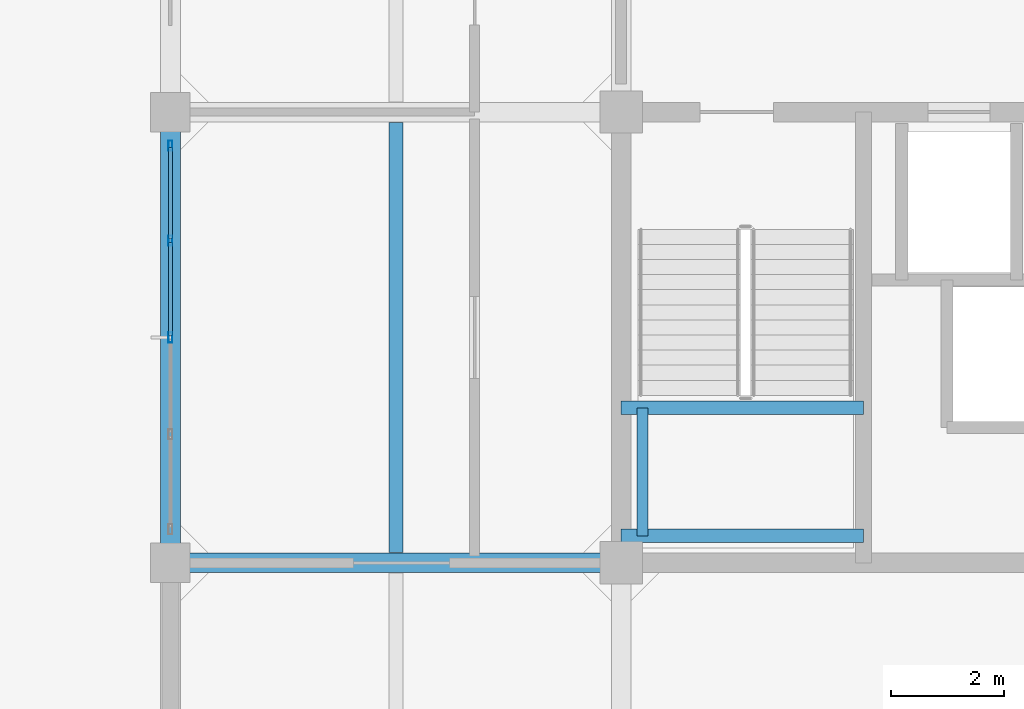
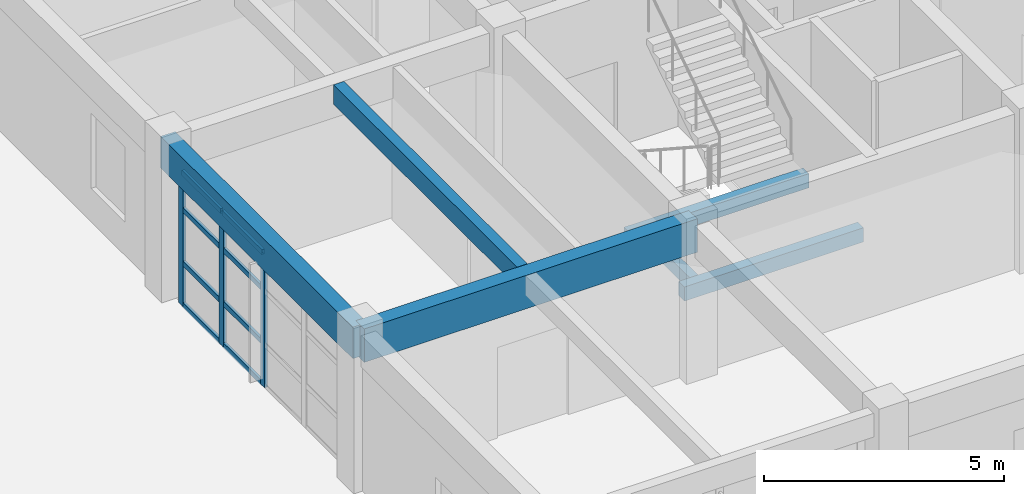
# One storey, part 3 of 25: 11 members, 6 beams, 1 element without a shape of its own.
"""IFC4 building model written with IfcOpenShell, lengths in metres."""

import ifcopenshell
import ifcopenshell.guid

model = None  # the IFC model being written
_history = None  # IfcOwnerHistory: only IFC2X3 demands one
_inside = {}  # id of a spatial element -> (the spatial element, [elements in it])
_under = {}  # id of a project, library or spatial element -> (it, [spatial elements below it])
_declared = {}  # id of a project -> (the project, [libraries it declares])
_typed = {}  # id of a type object -> (the type object, [elements of that type])
_made_of = {}  # id of a material, layer set ... -> (it, [elements and type objects made of it])


def new_model(schema):
    """Start an empty IFC model of exactly this schema.

    Asked for "IFC4X3", IfcOpenShell would pick the latest addendum, in which some entities
    have other attributes; the version numbers below select the first issue.
    IFC2X3 requires an IfcOwnerHistory on every rooted entity: one is made here for all.
    """
    global model, _history
    if schema == "IFC4X3":
        model = ifcopenshell.file(schema_version=(4, 3, 0, 0))
    else:
        model = ifcopenshell.file(schema=schema)
    _inside.clear()
    _under.clear()
    _declared.clear()
    _typed.clear()
    _made_of.clear()
    _history = None
    if model.schema == "IFC2X3":
        org = make("IfcOrganization", Name="unknown")
        user = make(
            "IfcPersonAndOrganization",
            ThePerson=make("IfcPerson", FamilyName="unknown"),
            TheOrganization=org,
        )
        app = make(
            "IfcApplication",
            ApplicationDeveloper=org,
            Version="unknown",
            ApplicationFullName="unknown",
            ApplicationIdentifier="unknown",
        )
        _history = make(
            "IfcOwnerHistory",
            OwningUser=user,
            OwningApplication=app,
            ChangeAction="ADDED",
            CreationDate=0,
        )
    return model


def make(cls, **values):
    """One entity of the class cls with the attributes given. An attribute that is None is left unset."""
    return model.create_entity(
        cls, **{name: value for name, value in values.items() if value is not None}
    )


def rooted(cls, **values):
    """An entity with a GlobalId (a new one), such as an element, a storey or a relation."""
    return make(cls, GlobalId=ifcopenshell.guid.new(), OwnerHistory=_history, **values)


def si_unit(unit_type, name, prefix=None):
    """IfcSIUnit, for example si_unit("LENGTHUNIT", "METRE", prefix="MILLI")."""
    return make("IfcSIUnit", UnitType=unit_type, Prefix=prefix, Name=name)


def assignment(units):
    """IfcUnitAssignment: the units of a project."""
    return None if units is None else make("IfcUnitAssignment", Units=units)


def point(xyz):
    """IfcCartesianPoint."""
    return None if xyz is None else make("IfcCartesianPoint", Coordinates=xyz)


def direction(xyz):
    """IfcDirection."""
    return None if xyz is None else make("IfcDirection", DirectionRatios=xyz)


def frame(location, z_axis=None, x_axis=None):
    """IfcAxis2Placement3D, a coordinate frame: its origin and axes. An axis left out is left unset."""
    return make(
        "IfcAxis2Placement3D",
        Location=point(location),
        Axis=direction(z_axis),
        RefDirection=direction(x_axis),
    )


def frame_2d(location, x_axis=None):
    """IfcAxis2Placement2D, a coordinate frame in the plane: its origin and x axis."""
    return make(
        "IfcAxis2Placement2D", Location=point(location), RefDirection=direction(x_axis)
    )


def origin():
    """The frame at (0, 0, 0) with its axes left unset."""
    return frame((0.0, 0.0, 0.0))


def origin_2d():
    """The frame at (0, 0) in the plane with its x axis left unset."""
    return frame_2d((0.0, 0.0))


def place(relative_to, where):
    """IfcLocalPlacement: puts the frame where relative to a parent placement (None: the world)."""
    return make(
        "IfcLocalPlacement", PlacementRelTo=relative_to, RelativePlacement=where
    )


def context(
    kind, dimensions, precision=None, world=None, true_north=None, identifier=None
):
    """IfcGeometricRepresentationContext, for example the 3D "Model" context."""
    return make(
        "IfcGeometricRepresentationContext",
        ContextIdentifier=identifier,
        ContextType=kind,
        CoordinateSpaceDimension=dimensions,
        Precision=precision,
        WorldCoordinateSystem=world,
        TrueNorth=true_north,
    )


def subcontext(parent, identifier, kind, view, scale=None):
    """IfcGeometricRepresentationSubContext, for example "Body" below "Model"."""
    return make(
        "IfcGeometricRepresentationSubContext",
        ContextIdentifier=identifier,
        ContextType=kind,
        ParentContext=parent,
        TargetScale=scale,
        TargetView=view,
    )


def project(units=None, contexts=None):
    """IfcProject with its units and contexts."""
    return rooted(
        "IfcProject",
        Name="project",
        RepresentationContexts=contexts,
        UnitsInContext=assignment(units),
    )


def spatial(cls, under=None, at=None, **own):
    """A site, building, storey or space (cls), placed at a placement, below another one or the project."""
    s = rooted(cls, ObjectPlacement=at, **own)
    if under is not None:
        _under.setdefault(under.id(), (under, []))[1].append(s)
    return s


def profile(cls, at=None, kind="AREA", **sizes):
    """A parametric profile (cls). Its sizes go by their IFC names, for example OverallWidth=200.0."""
    return make(cls, ProfileType=kind, Position=at, **sizes)


def rectangle(**sizes):
    """IfcRectangleProfileDef."""
    return profile("IfcRectangleProfileDef", **sizes)


def hollow_rectangle(**sizes):
    """IfcRectangleHollowProfileDef."""
    return profile("IfcRectangleHollowProfileDef", **sizes)


def extrude(swept, where, along, depth):
    """IfcExtrudedAreaSolid: the profile swept, set in the frame where, extruded along a direction by depth."""
    return make(
        "IfcExtrudedAreaSolid",
        SweptArea=swept,
        Position=where,
        ExtrudedDirection=direction(along),
        Depth=depth,
    )


def shape(context_of_items, identifier, shape_type, items):
    """IfcShapeRepresentation: the items that make up one representation, for example the "Body"."""
    return make(
        "IfcShapeRepresentation",
        ContextOfItems=context_of_items,
        RepresentationIdentifier=identifier,
        RepresentationType=shape_type,
        Items=items,
    )


def material(Name=None, Category=None):
    """IfcMaterial."""
    return make("IfcMaterial", Name=Name, Category=Category)


def layer(
    of_material, thickness, ventilated=None, Name=None, Category=None, Priority=None
):
    """IfcMaterialLayer: one layer of a wall or slab, of a material (None: an air gap)."""
    return make(
        "IfcMaterialLayer",
        Material=of_material,
        LayerThickness=thickness,
        IsVentilated=ventilated,
        Name=Name,
        Category=Category,
        Priority=Priority,
    )


def layer_set(layers, Name=None):
    """IfcMaterialLayerSet."""
    return make("IfcMaterialLayerSet", MaterialLayers=layers, LayerSetName=Name)


def material_profile(
    of_material, cross_section, Name=None, Category=None, Priority=None
):
    """IfcMaterialProfile: a cross section and its material."""
    return make(
        "IfcMaterialProfile",
        Name=Name,
        Material=of_material,
        Profile=cross_section,
        Priority=Priority,
        Category=Category,
    )


def profile_set(profiles, Name=None, composite=None):
    """IfcMaterialProfileSet."""
    return make(
        "IfcMaterialProfileSet",
        Name=Name,
        MaterialProfiles=profiles,
        CompositeProfile=composite,
    )


def made_of(thing, what):
    """Note that an element or type object is made of a material, layer set ...; save() writes the relation."""
    if what is not None:
        _made_of.setdefault(what.id(), (what, []))[1].append(thing)
    return thing


def type_object(cls, material=None, **own):
    """A type object (cls), such as IfcWallType, which elements share."""
    return made_of(rooted(cls, **own), material)


def element(
    cls,
    number,
    at=None,
    inside=None,
    cuts=None,
    type_object=None,
    material=None,
    context=None,
    identifier="Body",
    shape_type=None,
    held_by="IfcProductDefinitionShape",
    body=None,
    shapes=None,
    **own,
):
    """One element of the class cls, such as IfcWall. Its Tag is "e" and its number.

    at: its placement. inside: the storey or other place that contains it. cuts: it is an
    opening in that element (IfcRelVoidsElement). A single representation is given by context,
    identifier, shape_type and body (its items); several are given by shapes. held_by: the class
    of the entity that holds the representations. save() writes the other relations.
    """
    e = rooted(cls, Tag="e%d" % number, ObjectPlacement=at, **own)
    if body is not None:
        shapes = [shape(context, identifier, shape_type, body)]
    if shapes is not None:
        e.Representation = make(held_by, Representations=shapes)
    if inside is not None:
        _inside.setdefault(inside.id(), (inside, []))[1].append(e)
    if cuts is not None:
        rooted(
            "IfcRelVoidsElement", RelatingBuildingElement=cuts, RelatedOpeningElement=e
        )
    if type_object is not None:
        _typed.setdefault(type_object.id(), (type_object, []))[1].append(e)
    return made_of(e, material)


def aggregate(whole, parts):
    """IfcRelAggregates: a whole, such as a stair, and the parts it consists of."""
    return rooted("IfcRelAggregates", RelatingObject=whole, RelatedObjects=parts)


def save(model, path):
    """Write the relations noted so far, then the file.

    IfcRelAggregates (storeys below a building ...), IfcRelContainedInSpatialStructure (elements
    in a storey), IfcRelDefinesByType, IfcRelAssociatesMaterial and IfcRelDeclares: one each for
    every whole, place, type object, material and project.
    """
    for whole, parts in _under.values():
        aggregate(whole, parts)
    for where, things in _inside.values():
        rooted(
            "IfcRelContainedInSpatialStructure",
            RelatedElements=things,
            RelatingStructure=where,
        )
    for kind, things in _typed.values():
        rooted("IfcRelDefinesByType", RelatedObjects=things, RelatingType=kind)
    for what, things in _made_of.values():
        rooted("IfcRelAssociatesMaterial", RelatedObjects=things, RelatingMaterial=what)
    for by, libraries in _declared.values():
        rooted("IfcRelDeclares", RelatingContext=by, RelatedDefinitions=libraries)
    model.write(path)


model = new_model("IFC4")

# Units and contexts
model_context = context("Model", 3, precision=1e-05, world=origin(), true_north=direction((0.0, 1.0)))
body_context = subcontext(model_context, "Body", "Model", "MODEL_VIEW")
ifc_project = project(units=[si_unit("LENGTHUNIT", "METRE"), si_unit("AREAUNIT", "SQUARE_METRE"), si_unit("VOLUMEUNIT", "CUBIC_METRE"), si_unit("PLANEANGLEUNIT", "RADIAN"), si_unit("MASSUNIT", "GRAM", prefix="KILO")], contexts=[model_context])

# Site, building, storey
site_placement = place(None, origin())
site = spatial("IfcSite", under=ifc_project, at=site_placement, CompositionType="ELEMENT")
building_placement = place(site_placement, origin())
building = spatial("IfcBuilding", under=site, at=building_placement, Name="Canggui Botanical Conservatory", CompositionType="ELEMENT")
storey_placement = place(building_placement, frame((0.0, 0.0, 40.199951171875)))
storey = spatial("IfcBuildingStorey", under=building, at=storey_placement, Name="L10", CompositionType="ELEMENT", Elevation=40.199951171875)

# Beams
ifc_material_1 = material(Name="Concrete C35", Category="concrete")
ifc_material_profile_1 = material_profile(ifc_material_1, rectangle(XDim=0.25, YDim=0.5, at=origin_2d()), Name="RB 250x500")
ifc_profile_set_1 = profile_set([ifc_material_profile_1], Name="Concrete C35")
beam_type_1 = type_object("IfcBeamType", Name="BM-JST04", PredefinedType="JOIST", material=ifc_profile_set_1)
beam_1_placement = place(storey_placement, frame((150.0, 42.179931640625, 3.7099609375), z_axis=(0.0, 1.0, 0.0), x_axis=(-1.0, 0.0, 0.0)))
element("IfcBeam", 1, at=beam_1_placement, inside=storey, type_object=beam_type_1, Name="Secondary Floor Joist L10-1-2", PredefinedType="JOIST", context=body_context, shape_type="SweptSolid", body=[
    extrude(rectangle(XDim=0.25, YDim=0.5, at=origin_2d()), origin(), (0.0, 0.0, 1.0), 7.64013671875),
])
ifc_material_profile_2 = material_profile(ifc_material_1, rectangle(XDim=0.35009765625, YDim=0.85009765625, at=origin_2d()), Name="RB 350x850")
ifc_profile_set_2 = profile_set([ifc_material_profile_2], Name="Concrete C35")
beam_type_2 = type_object("IfcBeamType", Name="BM-KL14", PredefinedType="BEAM", material=ifc_profile_set_2)
beam_2_placement = place(storey_placement, frame((146.0, 42.0, 3.53515625), z_axis=(1.0, 0.0, 0.0), x_axis=(0.0, 1.0, 0.0)))
element("IfcBeam", 2, at=beam_2_placement, inside=storey, type_object=beam_type_2, Name="Frame Girder L10 Y42-1", PredefinedType="BEAM", context=body_context, shape_type="SweptSolid", body=[
    extrude(rectangle(XDim=0.35009765625, YDim=0.85009765625, at=origin_2d()), origin(), (0.0, 0.0, 1.0), 8.0),
])
ifc_material_profile_3 = material_profile(ifc_material_1, rectangle(XDim=0.35009765625, YDim=0.800048828125, at=origin_2d()), Name="RB 350x800")
ifc_profile_set_3 = profile_set([ifc_material_profile_3], Name="Concrete C35")
beam_type_3 = type_object("IfcBeamType", Name="BM-KL15", PredefinedType="BEAM", material=ifc_profile_set_3)
beam_3_placement = place(storey_placement, frame((146.0, 42.0, 3.56005859375), z_axis=(0.0, 1.0, 0.0), x_axis=(-1.0, 0.0, 0.0)))
element("IfcBeam", 3, at=beam_3_placement, inside=storey, type_object=beam_type_3, Name="Frame Girder L10 X146-2", PredefinedType="BEAM", context=body_context, shape_type="SweptSolid", body=[
    extrude(rectangle(XDim=0.35009765625, YDim=0.800048828125, at=origin_2d()), origin(), (0.0, 0.0, 1.0), 8.0),
])
ifc_material_profile_4 = material_profile(ifc_material_1, rectangle(XDim=0.239990234375, YDim=0.360107421875, at=origin_2d()), Name="RB 240x360")
ifc_profile_set_4 = profile_set([ifc_material_profile_4], Name="Concrete C35")
beam_type_4 = type_object("IfcBeamType", Name="BM-LIN01", PredefinedType="LINTEL", material=ifc_profile_set_4)
for number, where, z_axis, x_axis, name in (
    (4, (154.0, 42.47998046875, 1.719970703125), (1.0, 0.0, 0.0), (0.0, 1.0, 0.0), "ST-T1 Half-Landing Ledger Beam L10-1.1"),
    (5, (154.0, 44.75244140625, 1.719970703125), (1.0, 0.0, 0.0), (0.0, 1.0, 0.0), "ST-T1 Half-Landing Ledger Beam L10-1.2"),
):
    element("IfcBeam", number, at=place(storey_placement, frame(where, z_axis=z_axis, x_axis=x_axis)), inside=storey, type_object=beam_type_4, Name=name, PredefinedType="LINTEL", context=body_context, shape_type="SweptSolid", body=[
        extrude(rectangle(XDim=0.239990234375, YDim=0.360107421875, at=origin_2d()), origin(), (0.0, 0.0, 1.0), 4.300048828125),
    ])
ifc_material_profile_5 = material_profile(ifc_material_1, rectangle(XDim=0.199951171875, YDim=0.320068359375, at=origin_2d()), Name="RB 200x320")
ifc_profile_set_5 = profile_set([ifc_material_profile_5], Name="Concrete C35")
beam_type_5 = type_object("IfcBeamType", Name="BM-LIN02", PredefinedType="LINTEL", material=ifc_profile_set_5)
beam_4_placement = place(storey_placement, frame((154.3798828125, 42.47998046875, 1.719970703125), z_axis=(0.0, 1.0, 0.0), x_axis=(-1.0, 0.0, 0.0)))
element("IfcBeam", 6, at=beam_4_placement, inside=storey, type_object=beam_type_5, Name="ST-T1 Half-Landing Edge Ledger L10-1.3", PredefinedType="LINTEL", context=body_context, shape_type="SweptSolid", body=[
    extrude(rectangle(XDim=0.199951171875, YDim=0.320068359375, at=origin_2d()), origin(), (0.0, 0.0, 1.0), 2.2724609375),
])

# Curtain wall, members
ifc_material_2 = material(Name="Thermally Broken Aluminium", Category="aluminium")
ifc_layer = layer(ifc_material_2, 0.179931640625, Name="Thermally Broken Aluminium", Category="aluminium")
ifc_layer_set = layer_set([ifc_layer], Name="Thermally Broken Aluminium")
curtain_wall_type = type_object("IfcCurtainWallType", Name="CW-UNIT-A", PredefinedType="USERDEFINED", material=ifc_layer_set)
curtain_wall_placement = place(storey_placement, origin())
curtain_wall = element("IfcCurtainWall", 7, at=curtain_wall_placement, inside=storey, type_object=curtain_wall_type, Name="Facade Curtain Wall CW-TWR-L10-06", ObjectType="UNITISED CURTAIN WALL", PredefinedType="USERDEFINED")
ifc_material_profile_6 = material_profile(ifc_material_2, hollow_rectangle(XDim=0.070068359375, YDim=0.179931640625, WallThickness=0.00390625, at=origin_2d()), Name="CWM 70x180x4")
ifc_profile_set_6 = profile_set([ifc_material_profile_6], Name="Thermally Broken Aluminium")
member_type_1 = type_object("IfcMemberType", Name="CWM-01", PredefinedType="MULLION", material=ifc_profile_set_6)
member_1_placement = place(storey_placement, frame((146.0, 46.0, 0.0), z_axis=(0.0, 0.0, 1.0), x_axis=(-1.0, 0.0, 0.0)))
member_1 = element("IfcMember", 8, at=member_1_placement, type_object=member_type_1, Name="CW-01 mullion 3", PredefinedType="MULLION", context=body_context, shape_type="SweptSolid", body=[
    extrude(hollow_rectangle(XDim=0.070068359375, YDim=0.179931640625, WallThickness=0.00390625, at=origin_2d()), origin(), (0.0, 0.0, 1.0), 3.400146484375),
])
member_2_placement = place(storey_placement, frame((146.0, 47.719970703125, 0.0), z_axis=(0.0, 0.0, 1.0), x_axis=(-1.0, 0.0, 0.0)))
member_2 = element("IfcMember", 9, at=member_2_placement, type_object=member_type_1, Name="CW-01 mullion 4", PredefinedType="MULLION", context=body_context, shape_type="SweptSolid", body=[
    extrude(hollow_rectangle(XDim=0.070068359375, YDim=0.179931640625, WallThickness=0.00390625, at=origin_2d()), origin(), (0.0, 0.0, 1.0), 3.400146484375),
])
member_3_placement = place(storey_placement, frame((146.0, 49.405029296875, 0.0), z_axis=(0.0, 0.0, 1.0), x_axis=(-1.0, 0.0, 0.0)))
member_3 = element("IfcMember", 10, at=member_3_placement, type_object=member_type_1, Name="CW-01 mullion 5", PredefinedType="MULLION", context=body_context, shape_type="SweptSolid", body=[
    extrude(hollow_rectangle(XDim=0.070068359375, YDim=0.179931640625, WallThickness=0.00390625, at=origin_2d()), origin(), (0.0, 0.0, 1.0), 3.400146484375),
])
ifc_material_profile_7 = material_profile(ifc_material_2, hollow_rectangle(XDim=0.06494140625, YDim=0.1298828125, WallThickness=0.00341796875, at=origin_2d()), Name="CWT 65x130x3.5")
ifc_profile_set_7 = profile_set([ifc_material_profile_7], Name="Thermally Broken Aluminium")
member_type_2 = type_object("IfcMemberType", Name="CWT-01", PredefinedType="USERDEFINED", material=ifc_profile_set_7)
member_4_placement = place(storey_placement, frame((146.0, 46.034912109375, 0.032470703125), z_axis=(0.0, 1.0, 0.0), x_axis=(-1.0, 0.0, 0.0)))
member_4 = element("IfcMember", 11, at=member_4_placement, type_object=member_type_2, Name="CW-01 transom 3.1", ObjectType="TRANSOM", PredefinedType="USERDEFINED", context=body_context, shape_type="SweptSolid", body=[
    extrude(hollow_rectangle(XDim=0.06494140625, YDim=0.1298828125, WallThickness=0.00341796875, at=origin_2d()), origin(), (0.0, 0.0, 1.0), 1.650146484375),
])
member_5_placement = place(storey_placement, frame((146.0, 46.034912109375, 1.088134765625), z_axis=(0.0, 1.0, 0.0), x_axis=(-1.0, 0.0, 0.0)))
member_5 = element("IfcMember", 12, at=member_5_placement, type_object=member_type_2, Name="CW-01 transom 3.2", ObjectType="TRANSOM", PredefinedType="USERDEFINED", context=body_context, shape_type="SweptSolid", body=[
    extrude(hollow_rectangle(XDim=0.06494140625, YDim=0.1298828125, WallThickness=0.00341796875, at=origin_2d()), origin(), (0.0, 0.0, 1.0), 1.650146484375),
])
member_6_placement = place(storey_placement, frame((146.0, 46.034912109375, 2.447998046875), z_axis=(0.0, 1.0, 0.0), x_axis=(-1.0, 0.0, 0.0)))
member_6 = element("IfcMember", 13, at=member_6_placement, type_object=member_type_2, Name="CW-01 transom 3.3", ObjectType="TRANSOM", PredefinedType="USERDEFINED", context=body_context, shape_type="SweptSolid", body=[
    extrude(hollow_rectangle(XDim=0.06494140625, YDim=0.1298828125, WallThickness=0.00341796875, at=origin_2d()), origin(), (0.0, 0.0, 1.0), 1.650146484375),
])
member_7_placement = place(storey_placement, frame((146.0, 46.034912109375, 3.367431640625), z_axis=(0.0, 1.0, 0.0), x_axis=(-1.0, 0.0, 0.0)))
member_7 = element("IfcMember", 14, at=member_7_placement, type_object=member_type_2, Name="CW-01 transom 3.4", ObjectType="TRANSOM", PredefinedType="USERDEFINED", context=body_context, shape_type="SweptSolid", body=[
    extrude(hollow_rectangle(XDim=0.06494140625, YDim=0.1298828125, WallThickness=0.00341796875, at=origin_2d()), origin(), (0.0, 0.0, 1.0), 1.650146484375),
])
member_8_placement = place(storey_placement, frame((146.0, 47.7548828125, 0.032470703125), z_axis=(0.0, 1.0, 0.0), x_axis=(-1.0, 0.0, 0.0)))
member_8 = element("IfcMember", 15, at=member_8_placement, type_object=member_type_2, Name="CW-01 transom 4.1", ObjectType="TRANSOM", PredefinedType="USERDEFINED", context=body_context, shape_type="SweptSolid", body=[
    extrude(hollow_rectangle(XDim=0.06494140625, YDim=0.1298828125, WallThickness=0.00341796875, at=origin_2d()), origin(), (0.0, 0.0, 1.0), 1.615234375),
])
member_9_placement = place(storey_placement, frame((146.0, 47.7548828125, 1.088134765625), z_axis=(0.0, 1.0, 0.0), x_axis=(-1.0, 0.0, 0.0)))
member_9 = element("IfcMember", 16, at=member_9_placement, type_object=member_type_2, Name="CW-01 transom 4.2", ObjectType="TRANSOM", PredefinedType="USERDEFINED", context=body_context, shape_type="SweptSolid", body=[
    extrude(hollow_rectangle(XDim=0.06494140625, YDim=0.1298828125, WallThickness=0.00341796875, at=origin_2d()), origin(), (0.0, 0.0, 1.0), 1.615234375),
])
member_10_placement = place(storey_placement, frame((146.0, 47.7548828125, 2.447998046875), z_axis=(0.0, 1.0, 0.0), x_axis=(-1.0, 0.0, 0.0)))
member_10 = element("IfcMember", 17, at=member_10_placement, type_object=member_type_2, Name="CW-01 transom 4.3", ObjectType="TRANSOM", PredefinedType="USERDEFINED", context=body_context, shape_type="SweptSolid", body=[
    extrude(hollow_rectangle(XDim=0.06494140625, YDim=0.1298828125, WallThickness=0.00341796875, at=origin_2d()), origin(), (0.0, 0.0, 1.0), 1.615234375),
])
member_11_placement = place(storey_placement, frame((146.0, 47.7548828125, 3.367431640625), z_axis=(0.0, 1.0, 0.0), x_axis=(-1.0, 0.0, 0.0)))
member_11 = element("IfcMember", 18, at=member_11_placement, type_object=member_type_2, Name="CW-01 transom 4.4", ObjectType="TRANSOM", PredefinedType="USERDEFINED", context=body_context, shape_type="SweptSolid", body=[
    extrude(hollow_rectangle(XDim=0.06494140625, YDim=0.1298828125, WallThickness=0.00341796875, at=origin_2d()), origin(), (0.0, 0.0, 1.0), 1.615234375),
])
aggregate(curtain_wall, [member_1, member_2, member_3, member_4, member_5, member_6, member_7, member_8, member_9, member_10, member_11])

save(model, "model.ifc")
